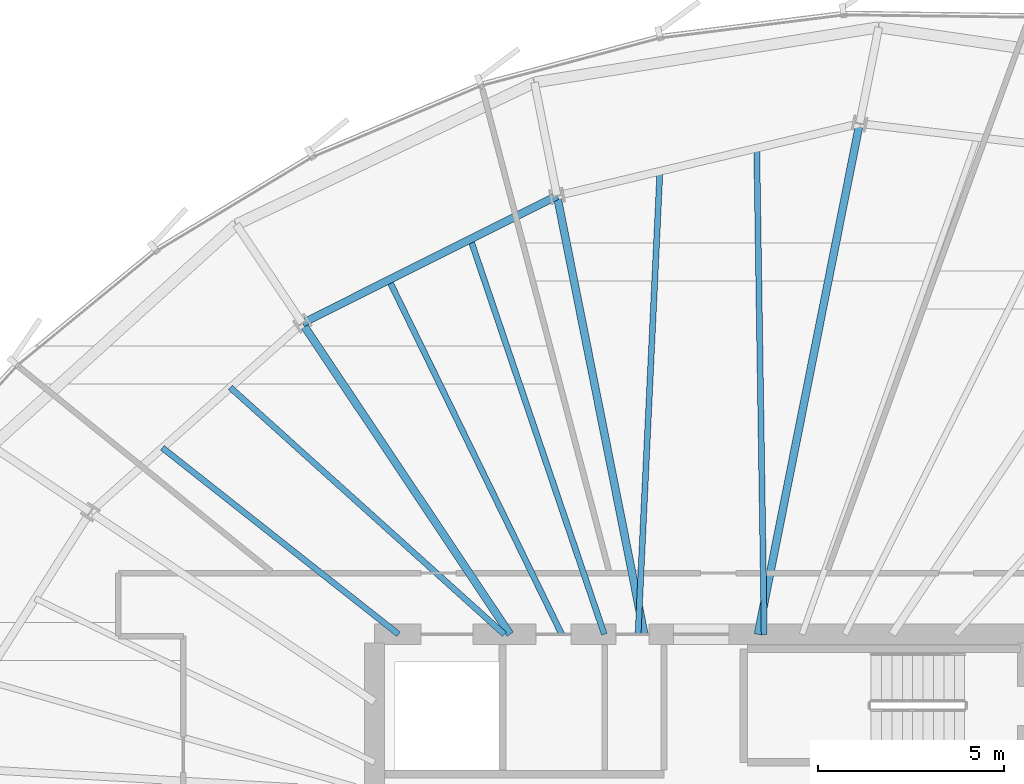
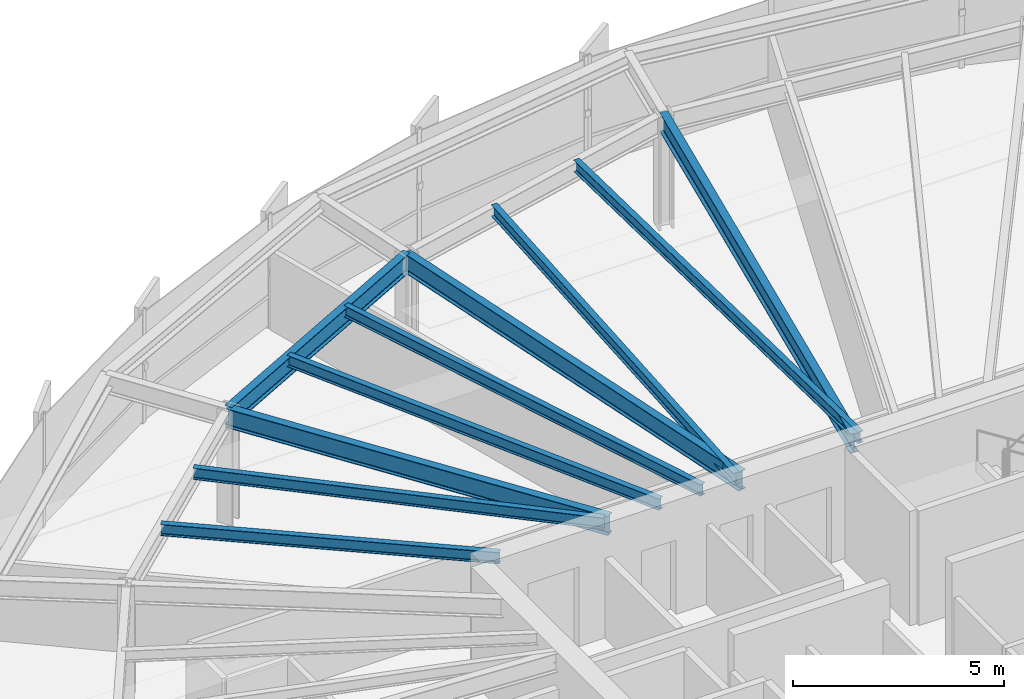
# One storey, part 20 of 36: 10 beams.
"""IFC4 building model written with IfcOpenShell, lengths in metres."""

from ifc_helpers import new_model, si_unit, direction, frame, origin, origin_2d, place, context, subcontext, project, spatial, i_section, extrude, source, transform, mapped, material, material_profile, profile_set, type_object, element, save


model = new_model("IFC4")

# Units and contexts
model_context = context("Model", 3, precision=1e-05, world=origin(), true_north=direction((0.0, 1.0)))
body_context = subcontext(model_context, "Body", "Model", "MODEL_VIEW")
ifc_project = project(units=[si_unit("LENGTHUNIT", "METRE"), si_unit("AREAUNIT", "SQUARE_METRE"), si_unit("VOLUMEUNIT", "CUBIC_METRE"), si_unit("PLANEANGLEUNIT", "RADIAN"), si_unit("MASSUNIT", "GRAM", prefix="KILO"), si_unit("THERMODYNAMICTEMPERATUREUNIT", "KELVIN")], contexts=[model_context])

# Site, building, storey
site_placement = place(None, origin())
site = spatial("IfcSite", under=ifc_project, at=site_placement, CompositionType="ELEMENT")
building_placement = place(site_placement, origin())
building = spatial("IfcBuilding", under=site, at=building_placement, Name="Kethvar Cultural Tower", CompositionType="ELEMENT")
storey_placement = place(building_placement, frame((0.0, 0.0, 143.0)))
storey = spatial("IfcBuildingStorey", under=building, at=storey_placement, Name="L36", CompositionType="ELEMENT", Elevation=143.0)

# Beams
ifc_material = material(Name="Steel S355J2", Category="steel")
ifc_material_profile_1 = material_profile(ifc_material, i_section(OverallWidth=0.2099609375, OverallDepth=0.550048828125, WebThickness=0.010986328125, FlangeThickness=0.01708984375, FilletRadius=0.02392578125, at=origin_2d()), Name="Steel S355J2 — IPE550")
ifc_profile_set_1 = profile_set([ifc_material_profile_1], Name="Steel S355J2 — IPE550")
beam_type_1 = type_object("IfcBeamType", Name="BM-IPE550", PredefinedType="BEAM", material=ifc_profile_set_1)
shared_shape_1 = source(origin(), body_context, "Body", "SweptSolid", [
    extrude(i_section(OverallWidth=0.2099609375, OverallDepth=0.550048828125, WebThickness=0.010986328125, FlangeThickness=0.01708984375, FilletRadius=0.02392578125, at=origin_2d()), origin(), (0.0, 0.0, 1.0), 14.02880859375),
])
beam_1_placement = place(storey_placement, frame((48.33154296875, 35.5, 3.02294921875), z_axis=(0.195101986683, 0.980782960085, 0.0), x_axis=(-0.980782960085, 0.195101986683, 0.0)))
element("IfcBeam", 1, at=beam_1_placement, inside=storey, type_object=beam_type_1, Name="L36 Primary Radial Beam RB-04", PredefinedType="BEAM", context=body_context, shape_type="MappedRepresentation", body=[
    mapped(shared_shape_1, transform((0.0, 0.0, 0.0), scale=1.0)),
])
shared_shape_2 = source(origin(), body_context, "Body", "SweptSolid", [
    extrude(i_section(OverallWidth=0.2099609375, OverallDepth=0.550048828125, WebThickness=0.010986328125, FlangeThickness=0.01708984375, FilletRadius=0.02392578125, at=origin_2d()), origin(), (0.0, 0.0, 1.0), 12.042724609375),
])
beam_2_placement = place(storey_placement, frame((45.268310546875, 35.5, 3.02294921875), z_axis=(-0.195086784047, 0.980785984142, 0.0), x_axis=(-0.980785984142, -0.195086784047, 0.0)))
element("IfcBeam", 2, at=beam_2_placement, inside=storey, type_object=beam_type_1, Name="L36 Primary Radial Beam RB-05", PredefinedType="BEAM", context=body_context, shape_type="MappedRepresentation", body=[
    mapped(shared_shape_2, transform((0.0, 0.0, 0.0), scale=1.0)),
])
shared_shape_3 = source(origin(), body_context, "Body", "SweptSolid", [
    extrude(i_section(OverallWidth=0.2099609375, OverallDepth=0.550048828125, WebThickness=0.010986328125, FlangeThickness=0.01708984375, FilletRadius=0.02392578125, at=origin_2d()), origin(), (0.0, 0.0, 1.0), 10.0751953125),
])
beam_3_placement = place(storey_placement, frame((41.655029296875, 35.5, 3.02294921875), z_axis=(-0.555566654614, 0.831472003305, 0.0), x_axis=(-0.831472003305, -0.555566654614, 0.0)))
element("IfcBeam", 3, at=beam_3_placement, inside=storey, type_object=beam_type_1, Name="L36 Primary Radial Beam RB-06", PredefinedType="BEAM", context=body_context, shape_type="MappedRepresentation", body=[
    mapped(shared_shape_3, transform((0.0, 0.0, 0.0), scale=1.0)),
])
ifc_material_profile_2 = material_profile(ifc_material, i_section(OverallWidth=0.159912109375, OverallDepth=0.330078125, WebThickness=0.007568359375, FlangeThickness=0.011474609375, FilletRadius=0.01806640625, at=origin_2d()), Name="Steel S355J2 — IPE330")
ifc_profile_set_2 = profile_set([ifc_material_profile_2], Name="Steel S355J2 — IPE330")
beam_type_2 = type_object("IfcBeamType", Name="BM-J330", PredefinedType="JOIST", material=ifc_profile_set_2)
shared_shape_4 = source(origin(), body_context, "Body", "SweptSolid", [
    extrude(i_section(OverallWidth=0.159912109375, OverallDepth=0.330078125, WebThickness=0.007568359375, FlangeThickness=0.011474609375, FilletRadius=0.01806640625, at=origin_2d()), origin(), (0.0, 0.0, 1.0), 13.098388671875),
])
beam_4_placement = place(storey_placement, frame((48.5, 35.5, 3.133056640625), z_axis=(-0.015451599057, 0.999880616917, 0.0), x_axis=(-0.999880616917, -0.015451599057, 0.0)))
element("IfcBeam", 4, at=beam_4_placement, inside=storey, type_object=beam_type_2, Name="L36 Composite Floor Joist J-04A", PredefinedType="JOIST", context=body_context, shape_type="MappedRepresentation", body=[
    mapped(shared_shape_4, transform((0.0, 0.0, 0.0), scale=1.0)),
])
shared_shape_5 = source(origin(), body_context, "Body", "SweptSolid", [
    extrude(i_section(OverallWidth=0.159912109375, OverallDepth=0.330078125, WebThickness=0.007568359375, FlangeThickness=0.011474609375, FilletRadius=0.01806640625, at=origin_2d()), origin(), (0.0, 0.0, 1.0), 12.487548828125),
])
beam_5_placement = place(storey_placement, frame((45.10009765625, 35.5, 3.133056640625), z_axis=(0.047214958818, 0.998884751943, 0.0), x_axis=(-0.998884751943, 0.047214958818, 0.0)))
element("IfcBeam", 5, at=beam_5_placement, inside=storey, type_object=beam_type_2, Name="L36 Composite Floor Joist J-04B", PredefinedType="JOIST", context=body_context, shape_type="MappedRepresentation", body=[
    mapped(shared_shape_5, transform((0.0, 0.0, 0.0), scale=1.0)),
])
shared_shape_6 = source(origin(), body_context, "Body", "SweptSolid", [
    extrude(i_section(OverallWidth=0.2099609375, OverallDepth=0.550048828125, WebThickness=0.010986328125, FlangeThickness=0.01708984375, FilletRadius=0.02392578125, at=origin_2d()), origin(), (0.0, 0.0, 1.0), 7.672607421875),
])
beam_6_placement = place(storey_placement, frame((42.9189453125, 47.311279296875, 3.02294921875), z_axis=(-0.894248932057, -0.447569935892, 0.0), x_axis=(0.447569935892, -0.894248932057, 0.0)))
element("IfcBeam", 6, at=beam_6_placement, inside=storey, type_object=beam_type_1, Name="L36 Column Ring Tie Beam CR-05", PredefinedType="BEAM", context=body_context, shape_type="MappedRepresentation", body=[
    mapped(shared_shape_6, transform((0.0, 0.0, 0.0), scale=1.0)),
])
shared_shape_7 = source(origin(), body_context, "Body", "SweptSolid", [
    extrude(i_section(OverallWidth=0.159912109375, OverallDepth=0.330078125, WebThickness=0.007568359375, FlangeThickness=0.011474609375, FilletRadius=0.01806640625, at=origin_2d()), origin(), (0.0, 0.0, 1.0), 11.23779296875),
])
beam_7_placement = place(storey_placement, frame((44.191650390625, 35.5, 3.133056640625), z_axis=(-0.32083186626, 0.94713616423, 0.0), x_axis=(-0.94713616423, -0.32083186626, 0.0)))
element("IfcBeam", 7, at=beam_7_placement, inside=storey, type_object=beam_type_2, Name="L36 Composite Floor Joist J-05A", PredefinedType="JOIST", context=body_context, shape_type="MappedRepresentation", body=[
    mapped(shared_shape_7, transform((0.0, 0.0, 0.0), scale=1.0)),
])
shared_shape_8 = source(origin(), body_context, "Body", "SweptSolid", [
    extrude(i_section(OverallWidth=0.159912109375, OverallDepth=0.330078125, WebThickness=0.007568359375, FlangeThickness=0.011474609375, FilletRadius=0.01806640625, at=origin_2d()), origin(), (0.0, 0.0, 1.0), 10.619384765625),
])
beam_8_placement = place(storey_placement, frame((43.044921875, 35.5, 3.133056640625), z_axis=(-0.438308125028, 0.898824781331, 0.0), x_axis=(-0.898824781331, -0.438308125028, 0.0)))
element("IfcBeam", 8, at=beam_8_placement, inside=storey, type_object=beam_type_2, Name="L36 Composite Floor Joist J-05B", PredefinedType="JOIST", context=body_context, shape_type="MappedRepresentation", body=[
    mapped(shared_shape_8, transform((0.0, 0.0, 0.0), scale=1.0)),
])
shared_shape_9 = source(origin(), body_context, "Body", "SweptSolid", [
    extrude(i_section(OverallWidth=0.159912109375, OverallDepth=0.330078125, WebThickness=0.007568359375, FlangeThickness=0.011474609375, FilletRadius=0.01806640625, at=origin_2d()), origin(), (0.0, 0.0, 1.0), 9.93701171875),
])
beam_9_placement = place(storey_placement, frame((41.5, 35.5, 3.133056640625), z_axis=(-0.743138974967, 0.669137103952, 0.0), x_axis=(-0.669137103952, -0.743138974967, 0.0)))
element("IfcBeam", 9, at=beam_9_placement, inside=storey, type_object=beam_type_2, Name="L36 Composite Floor Joist J-06A", PredefinedType="JOIST", context=body_context, shape_type="MappedRepresentation", body=[
    mapped(shared_shape_9, transform((0.0, 0.0, 0.0), scale=1.0)),
])
shared_shape_10 = source(origin(), body_context, "Body", "SweptSolid", [
    extrude(i_section(OverallWidth=0.159912109375, OverallDepth=0.330078125, WebThickness=0.007568359375, FlangeThickness=0.011474609375, FilletRadius=0.01806640625, at=origin_2d()), origin(), (0.0, 0.0, 1.0), 8.105712890625),
])
beam_10_placement = place(storey_placement, frame((38.64990234375, 35.5, 3.133056640625), z_axis=(-0.784895872164, 0.619627686486, 0.0), x_axis=(-0.619627686486, -0.784895872164, 0.0)))
element("IfcBeam", 10, at=beam_10_placement, inside=storey, type_object=beam_type_2, Name="L36 Composite Floor Joist J-06B", PredefinedType="JOIST", context=body_context, shape_type="MappedRepresentation", body=[
    mapped(shared_shape_10, transform((0.0, 0.0, 0.0), scale=1.0)),
])

save(model, "model.ifc")
